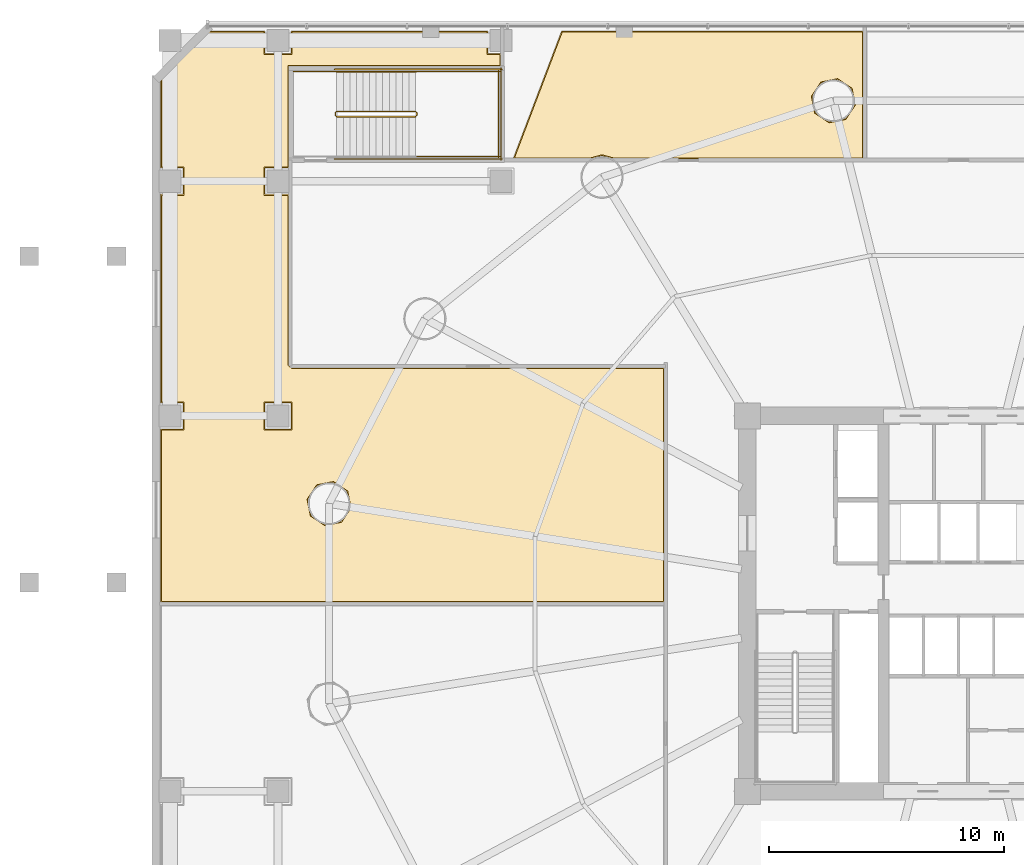
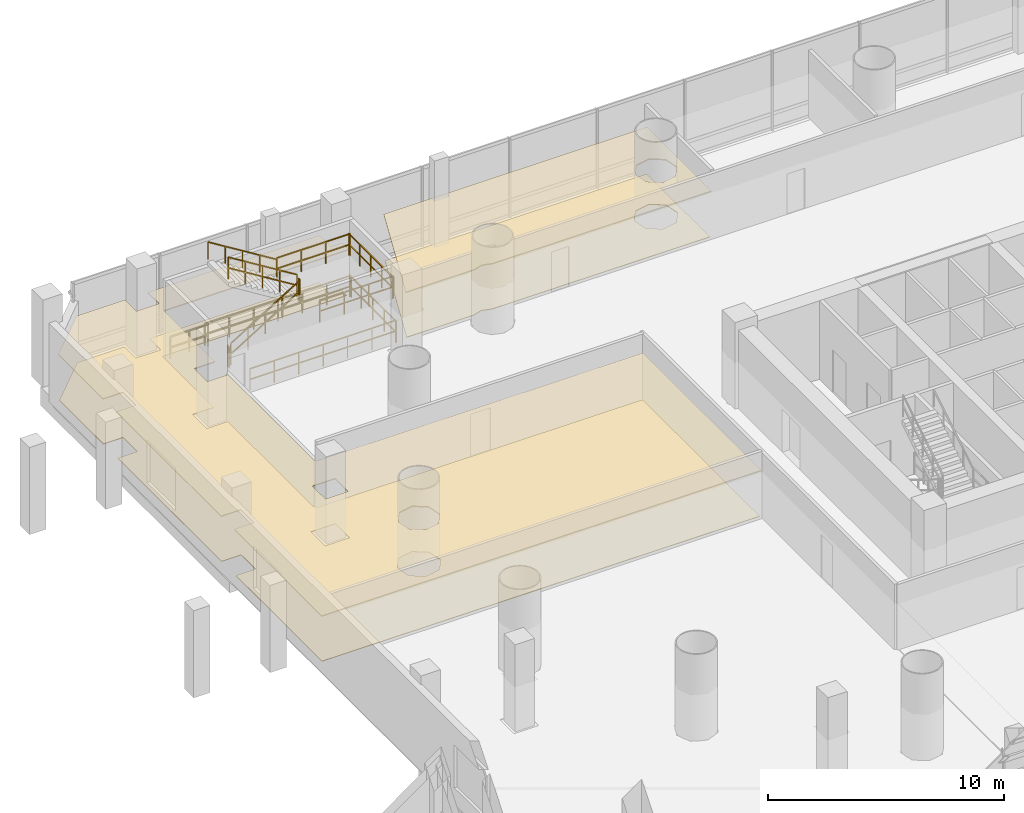
# One storey, part 31 of 36: 12 railings, 4 coverings.
"""IFC4 building model written with IfcOpenShell, lengths in metres."""

from ifc_helpers import new_model, si_unit, direction, frame, origin, origin_2d, place, context, subcontext, project, spatial, polyline, rectangle, outline, extrude, material, layer, layer_set, type_object, element, save


model = new_model("IFC4")

# Units and contexts
model_context = context("Model", 3, precision=1e-05, world=origin(), true_north=direction((-0.2419218956, 0.970295726276)))
body_context = subcontext(model_context, "Body", "Model", "MODEL_VIEW")
ifc_project = project(units=[si_unit("LENGTHUNIT", "METRE"), si_unit("AREAUNIT", "SQUARE_METRE"), si_unit("VOLUMEUNIT", "CUBIC_METRE"), si_unit("PLANEANGLEUNIT", "RADIAN"), si_unit("MASSUNIT", "GRAM", prefix="KILO")], contexts=[model_context])

# Site, building, storey
site_placement = place(None, origin())
site = spatial("IfcSite", under=ifc_project, at=site_placement, CompositionType="ELEMENT")
building_placement = place(site_placement, origin())
building = spatial("IfcBuilding", under=site, at=building_placement, Name="Cobrevalo Terracotta Tower", CompositionType="ELEMENT")
storey_placement = place(building_placement, frame((0.0, 0.0, 14.39990234375)))
storey = spatial("IfcBuildingStorey", under=building, at=storey_placement, Name="L03", CompositionType="ELEMENT", Elevation=14.39990234375)

# Coverings
ifc_material_1 = material(Name="Honed terracotta and granite tile", Category="masonry")
ifc_layer_1 = layer(ifc_material_1, 0.034912109375)
ifc_layer_set_1 = layer_set([ifc_layer_1], Name="Honed terracotta and granite tile")
covering_type_1 = type_object("IfcCoveringType", Name="Honed Terracotta & Granite Interior Flooring 35", PredefinedType="FLOORING", material=ifc_layer_set_1)
covering_1_placement = place(storey_placement, origin())
element("IfcCovering", 1, at=covering_1_placement, inside=storey, type_object=covering_type_1, Name="L03 Indoor Lap Pool Hall floor finish", PredefinedType="FLOORING", context=body_context, shape_type="SweptSolid", body=[
    extrude(outline(polyline([(6.078369140625, 51.159912109375), (8.39990234375, 51.159912109375), (8.39990234375, 50.199951171875), (9.60009765625, 50.199951171875), (9.60009765625, 51.159912109375), (17.89990234375, 51.159912109375), (17.89990234375, 50.199951171875), (18.449951171875, 50.199951171875), (18.449951171875, 49.739990234375), (9.429931640625, 49.739990234375), (9.420166015625, 45.39990234375), (8.39990234375, 45.39990234375), (8.39990234375, 44.199951171875), (9.421142578125, 44.199951171875), (9.427001953125, 36.947509765625), (9.5986328125, 36.820068359375), (25.419921875, 36.820068359375), (25.419921875, 26.89990234375), (4.0400390625, 26.89990234375), (4.0400390625, 34.199951171875), (5.0, 34.199951171875), (5.0, 35.39990234375), (4.0400390625, 35.39990234375), (4.0400390625, 44.199951171875), (5.0, 44.199951171875), (5.0, 45.39990234375), (4.0400390625, 45.39990234375), (4.0400390625, 49.121826171875), (6.078369140625, 51.159912109375)]), holes=[polyline([(11.708984375, 30.264404296875), (12.1171875, 30.87548828125), (11.973876953125, 31.59619140625), (11.36279296875, 32.00439453125), (10.64208984375, 31.861083984375), (10.23388671875, 31.25), (10.377197265625, 30.529296875), (10.98828125, 30.12109375), (11.708984375, 30.264404296875)]), polyline([(8.39990234375, 35.39990234375), (8.39990234375, 34.199951171875), (9.60009765625, 34.199951171875), (9.60009765625, 35.39990234375), (8.39990234375, 35.39990234375)])]), origin(), (0.0, 0.0, 1.0), 0.030029296875),
])
covering_2_placement = place(storey_placement, origin())
element("IfcCovering", 2, at=covering_2_placement, inside=storey, type_object=covering_type_1, Name="L03 Public Restrooms floor finish", PredefinedType="FLOORING", context=body_context, shape_type="SweptSolid", body=[
    extrude(outline(polyline([(33.89990234375, 45.800048828125), (23.274658203125, 45.800048828125), (22.80517578125, 45.927734375), (22.33544921875, 45.800048828125), (19.0791015625, 45.800048828125), (21.11376953125, 51.159912109375), (33.89990234375, 51.159912109375), (33.89990234375, 45.800048828125)]), holes=[polyline([(33.19775390625, 47.431884765625), (33.60595703125, 48.04296875), (33.462646484375, 48.763671875), (32.8515625, 49.171875), (32.130859375, 49.028564453125), (31.72265625, 48.41748046875), (31.865966796875, 47.69677734375), (32.47705078125, 47.28857421875), (33.19775390625, 47.431884765625)])]), origin(), (0.0, 0.0, 1.0), 0.030029296875),
])
ifc_material_2 = material(Name="Moisture-resistant mineral fibre ceiling", Category="gypsum")
ifc_layer_2 = layer(ifc_material_2, 0.0400390625)
ifc_layer_set_2 = layer_set([ifc_layer_2], Name="Moisture-resistant mineral fibre ceiling")
covering_type_2 = type_object("IfcCoveringType", Name="Moisture-Resistant Wet-Room Ceiling 40", PredefinedType="CEILING", material=ifc_layer_set_2)
covering_3_placement = place(storey_placement, frame((0.0, 0.0, 2.360107421875)))
element("IfcCovering", 3, at=covering_3_placement, inside=storey, type_object=covering_type_2, Name="L03 Public Restrooms acoustic ceiling", PredefinedType="CEILING", context=body_context, shape_type="SweptSolid", body=[
    extrude(outline(polyline([(33.945068359375, 45.7548828125), (23.263427734375, 45.7548828125), (22.80517578125, 45.882568359375), (22.346923828125, 45.7548828125), (19.013671875, 45.7548828125), (21.082763671875, 51.205078125), (33.945068359375, 51.205078125), (33.945068359375, 45.7548828125)]), holes=[polyline([(33.172607421875, 47.469482421875), (33.5615234375, 48.0517578125), (33.425048828125, 48.738525390625), (32.8427734375, 49.12744140625), (32.156005859375, 48.990966796875), (31.76708984375, 48.40869140625), (31.903564453125, 47.721923828125), (32.48583984375, 47.332763671875), (33.172607421875, 47.469482421875)])]), origin(), (0.0, 0.0, 1.0), 0.050048828125),
])
ifc_material_3 = material(Name="Acoustic perforated gypsum ceiling", Category="gypsum")
ifc_layer_3 = layer(ifc_material_3, 0.050048828125)
ifc_layer_set_3 = layer_set([ifc_layer_3], Name="Acoustic perforated gypsum ceiling")
covering_type_3 = type_object("IfcCoveringType", Name="Perforated Acoustic Gypsum Ceiling 50", PredefinedType="CEILING", material=ifc_layer_set_3)
covering_4_placement = place(storey_placement, frame((0.0, 0.0, 2.360107421875)))
element("IfcCovering", 4, at=covering_4_placement, inside=storey, type_object=covering_type_3, Name="L03 Indoor Lap Pool Hall acoustic ceiling", PredefinedType="CEILING", context=body_context, shape_type="SweptSolid", body=[
    extrude(outline(polyline([(6.0595703125, 51.205078125), (8.445068359375, 51.205078125), (8.445068359375, 50.2451171875), (9.554931640625, 50.2451171875), (9.554931640625, 51.205078125), (17.945068359375, 51.205078125), (17.945068359375, 50.2451171875), (18.4951171875, 50.2451171875), (18.4951171875, 49.695068359375), (9.47509765625, 49.695068359375), (9.46533203125, 45.35498046875), (8.445068359375, 45.35498046875), (8.445068359375, 44.2451171875), (9.466064453125, 44.2451171875), (9.471923828125, 36.961181640625), (9.601806640625, 36.864990234375), (25.465087890625, 36.864990234375), (25.465087890625, 26.85498046875), (3.9951171875, 26.85498046875), (3.9951171875, 34.2451171875), (4.955078125, 34.2451171875), (4.955078125, 35.35498046875), (3.9951171875, 35.35498046875), (3.9951171875, 44.2451171875), (4.955078125, 44.2451171875), (4.955078125, 45.35498046875), (3.9951171875, 45.35498046875), (3.9951171875, 49.140380859375), (6.0595703125, 51.205078125)]), holes=[polyline([(11.683837890625, 30.302001953125), (12.07275390625, 30.88427734375), (11.936279296875, 31.571044921875), (11.35400390625, 31.9599609375), (10.667236328125, 31.823486328125), (10.2783203125, 31.2412109375), (10.414794921875, 30.554443359375), (10.9970703125, 30.16552734375), (11.683837890625, 30.302001953125)]), polyline([(8.445068359375, 35.35498046875), (8.445068359375, 34.2451171875), (9.554931640625, 34.2451171875), (9.554931640625, 35.35498046875), (8.445068359375, 35.35498046875)])]), origin(), (0.0, 0.0, 1.0), 0.050048828125),
])

# Railings
ifc_material_4 = material(Name="Brushed stainless steel", Category="steel")
railing_type_1 = type_object("IfcRailingType", Name="Stainless Steel Stair Handrail 900", PredefinedType="HANDRAIL", material=ifc_material_4)
railing_1_placement = place(storey_placement, frame((14.860107421875, 49.469970703125, 2.423095703125)))
element("IfcRailing", 5, at=railing_1_placement, inside=storey, type_object=railing_type_1, Name="L03 ST-P1 stair handrail 2", PredefinedType="HANDRAIL", context=body_context, shape_type="SweptSolid", body=[
    extrude(rectangle(XDim=0.048095703125, YDim=0.048095703125, at=origin_2d()), frame((0.0, 0.0, 0.8759765625), z_axis=(-0.850623216509, 0.0, 0.525775754039), x_axis=(0.0, -1.0, 0.0)), (0.0, 0.0, 1.0), 3.9501953125),
    extrude(rectangle(XDim=0.0419921875, YDim=0.0419921875, at=origin_2d()), origin(), (0.0, 0.0, 1.0), 0.851806640625),
    extrude(rectangle(XDim=0.0419921875, YDim=0.0419921875, at=origin_2d()), frame((-0.840087890625, 0.0, 0.519287109375)), (0.0, 0.0, 1.0), 0.851806640625),
    extrude(rectangle(XDim=0.0419921875, YDim=0.0419921875, at=origin_2d()), frame((-1.68017578125, 0.0, 1.03857421875)), (0.0, 0.0, 1.0), 0.851806640625),
    extrude(rectangle(XDim=0.0419921875, YDim=0.0419921875, at=origin_2d()), frame((-2.52001953125, 0.0, 1.5576171875)), (0.0, 0.0, 1.0), 0.851806640625),
    extrude(rectangle(XDim=0.0419921875, YDim=0.0419921875, at=origin_2d()), frame((-3.360107421875, 0.0, 2.076904296875)), (0.0, 0.0, 1.0), 0.851806640625),
])
ifc_material_5 = material(Name="Painted galvanized steel", Category="steel")
railing_type_2 = type_object("IfcRailingType", Name="Stair Well Guard Balustrade 1150", PredefinedType="GUARDRAIL", material=ifc_material_5)
railing_2_placement = place(storey_placement, frame((11.5, 47.550048828125, 0.173095703125)))
element("IfcRailing", 6, at=railing_2_placement, inside=storey, type_object=railing_type_2, Name="L03 ST-P1 stair guard 1", PredefinedType="GUARDRAIL", context=body_context, shape_type="SweptSolid", body=[
    extrude(rectangle(XDim=0.048095703125, YDim=0.048095703125, at=origin_2d()), frame((0.0, 0.0, 1.1259765625), z_axis=(0.850623216509, 0.0, 0.525775754039), x_axis=(0.0, 1.0, 0.0)), (0.0, 0.0, 1.0), 3.9501953125),
    extrude(rectangle(XDim=0.048095703125, YDim=0.048095703125, at=origin_2d()), frame((0.0, 0.0, 0.574951171875), z_axis=(0.850623216509, 0.0, 0.525775754039), x_axis=(0.0, 1.0, 0.0)), (0.0, 0.0, 1.0), 3.9501953125),
    extrude(rectangle(XDim=0.0419921875, YDim=0.0419921875, at=origin_2d()), origin(), (0.0, 0.0, 1.0), 1.101806640625),
    extrude(rectangle(XDim=0.0419921875, YDim=0.0419921875, at=origin_2d()), frame((0.840087890625, 0.0, 0.519287109375)), (0.0, 0.0, 1.0), 1.101806640625),
    extrude(rectangle(XDim=0.0419921875, YDim=0.0419921875, at=origin_2d()), frame((1.68017578125, 0.0, 1.03857421875)), (0.0, 0.0, 1.0), 1.101806640625),
    extrude(rectangle(XDim=0.0419921875, YDim=0.0419921875, at=origin_2d()), frame((2.52001953125, 0.0, 1.5576171875)), (0.0, 0.0, 1.0), 1.101806640625),
    extrude(rectangle(XDim=0.0419921875, YDim=0.0419921875, at=origin_2d()), frame((3.360107421875, 0.0, 2.076904296875)), (0.0, 0.0, 1.0), 1.101806640625),
])
railing_3_placement = place(storey_placement, frame((14.909912109375, 47.60009765625, 2.25)))
element("IfcRailing", 7, at=railing_3_placement, inside=storey, type_object=railing_type_2, Name="L03 ST-P1 stair guard 2", PredefinedType="GUARDRAIL", context=body_context, shape_type="SweptSolid", body=[
    extrude(rectangle(XDim=0.048095703125, YDim=0.048095703125, at=origin_2d()), frame((0.0, 0.0, 1.1259765625), z_axis=(0.0, 1.0, 0.0), x_axis=(-1.0, 0.0, 0.0)), (0.0, 0.0, 1.0), 0.119873046875),
    extrude(rectangle(XDim=0.048095703125, YDim=0.048095703125, at=origin_2d()), frame((0.0, 0.0, 0.574951171875), z_axis=(0.0, 1.0, 0.0), x_axis=(-1.0, 0.0, 0.0)), (0.0, 0.0, 1.0), 0.119873046875),
    extrude(rectangle(XDim=0.0419921875, YDim=0.0419921875, at=origin_2d()), origin(), (0.0, 0.0, 1.0), 1.101806640625),
    extrude(rectangle(XDim=0.0419921875, YDim=0.0419921875, at=origin_2d()), frame((0.0, 0.119873046875, 0.0)), (0.0, 0.0, 1.0), 1.101806640625),
])
for number, where, name in (
    (8, (14.860107421875, 45.85009765625, 2.25), "L03 ST-P1 stair guard 3"),
    (9, (14.860107421875, 49.469970703125, 2.25), "L03 ST-P1 stair guard 4"),
):
    element("IfcRailing", number, at=place(storey_placement, frame(where)), inside=storey, type_object=railing_type_2, Name=name, PredefinedType="GUARDRAIL", context=body_context, shape_type="SweptSolid", body=[
        extrude(rectangle(XDim=0.048095703125, YDim=0.048095703125, at=origin_2d()), frame((0.0, 0.0, 1.1259765625), z_axis=(1.0, 0.0, 0.0), x_axis=(0.0, 1.0, 0.0)), (0.0, 0.0, 1.0), 3.58984375),
        extrude(rectangle(XDim=0.048095703125, YDim=0.048095703125, at=origin_2d()), frame((0.0, 0.0, 0.574951171875), z_axis=(1.0, 0.0, 0.0), x_axis=(0.0, 1.0, 0.0)), (0.0, 0.0, 1.0), 3.58984375),
        extrude(rectangle(XDim=0.0419921875, YDim=0.0419921875, at=origin_2d()), origin(), (0.0, 0.0, 1.0), 1.101806640625),
        extrude(rectangle(XDim=0.0419921875, YDim=0.0419921875, at=origin_2d()), frame((1.196533203125, 0.0, 0.0)), (0.0, 0.0, 1.0), 1.101806640625),
        extrude(rectangle(XDim=0.0419921875, YDim=0.0419921875, at=origin_2d()), frame((2.393310546875, 0.0, 0.0)), (0.0, 0.0, 1.0), 1.101806640625),
        extrude(rectangle(XDim=0.0419921875, YDim=0.0419921875, at=origin_2d()), frame((3.58984375, 0.0, 0.0)), (0.0, 0.0, 1.0), 1.101806640625),
    ])
railing_4_placement = place(storey_placement, frame((18.39990234375, 45.800048828125, 2.25)))
element("IfcRailing", 10, at=railing_4_placement, inside=storey, type_object=railing_type_2, Name="L03 ST-P1 stair guard 5", PredefinedType="GUARDRAIL", context=body_context, shape_type="SweptSolid", body=[
    extrude(rectangle(XDim=0.048095703125, YDim=0.048095703125, at=origin_2d()), frame((0.0, 0.0, 1.1259765625), z_axis=(0.0, 1.0, 0.0), x_axis=(-1.0, 0.0, 0.0)), (0.0, 0.0, 1.0), 3.719970703125),
    extrude(rectangle(XDim=0.048095703125, YDim=0.048095703125, at=origin_2d()), frame((0.0, 0.0, 0.574951171875), z_axis=(0.0, 1.0, 0.0), x_axis=(-1.0, 0.0, 0.0)), (0.0, 0.0, 1.0), 3.719970703125),
    extrude(rectangle(XDim=0.0419921875, YDim=0.0419921875, at=origin_2d()), origin(), (0.0, 0.0, 1.0), 1.101806640625),
    extrude(rectangle(XDim=0.0419921875, YDim=0.0419921875, at=origin_2d()), frame((0.0, 0.929931640625, 0.0)), (0.0, 0.0, 1.0), 1.101806640625),
    extrude(rectangle(XDim=0.0419921875, YDim=0.0419921875, at=origin_2d()), frame((0.0, 1.85986328125, 0.0)), (0.0, 0.0, 1.0), 1.101806640625),
    extrude(rectangle(XDim=0.0419921875, YDim=0.0419921875, at=origin_2d()), frame((0.0, 2.7900390625, 0.0)), (0.0, 0.0, 1.0), 1.101806640625),
    extrude(rectangle(XDim=0.0419921875, YDim=0.0419921875, at=origin_2d()), frame((0.0, 3.719970703125, 0.0)), (0.0, 0.0, 1.0), 1.101806640625),
])
railing_5_placement = place(storey_placement, frame((14.860107421875, 47.77001953125, 2.423095703125)))
element("IfcRailing", 11, at=railing_5_placement, inside=storey, type_object=railing_type_2, Name="L03 ST-P1 stair guard 6", PredefinedType="GUARDRAIL", context=body_context, shape_type="SweptSolid", body=[
    extrude(rectangle(XDim=0.048095703125, YDim=0.048095703125, at=origin_2d()), frame((0.0, 0.0, 1.1259765625), z_axis=(-0.850623216509, 0.0, 0.525775754039), x_axis=(0.0, -1.0, 0.0)), (0.0, 0.0, 1.0), 3.9501953125),
    extrude(rectangle(XDim=0.048095703125, YDim=0.048095703125, at=origin_2d()), frame((0.0, 0.0, 0.574951171875), z_axis=(-0.850623216509, 0.0, 0.525775754039), x_axis=(0.0, -1.0, 0.0)), (0.0, 0.0, 1.0), 3.9501953125),
    extrude(rectangle(XDim=0.0419921875, YDim=0.0419921875, at=origin_2d()), origin(), (0.0, 0.0, 1.0), 1.101806640625),
    extrude(rectangle(XDim=0.0419921875, YDim=0.0419921875, at=origin_2d()), frame((-0.840087890625, 0.0, 0.519287109375)), (0.0, 0.0, 1.0), 1.101806640625),
    extrude(rectangle(XDim=0.0419921875, YDim=0.0419921875, at=origin_2d()), frame((-1.68017578125, 0.0, 1.03857421875)), (0.0, 0.0, 1.0), 1.101806640625),
    extrude(rectangle(XDim=0.0419921875, YDim=0.0419921875, at=origin_2d()), frame((-2.52001953125, 0.0, 1.5576171875)), (0.0, 0.0, 1.0), 1.101806640625),
    extrude(rectangle(XDim=0.0419921875, YDim=0.0419921875, at=origin_2d()), frame((-3.360107421875, 0.0, 2.076904296875)), (0.0, 0.0, 1.0), 1.101806640625),
])
railing_6_placement = place(storey_placement, frame((11.449951171875, 47.60009765625, 0.0)))
element("IfcRailing", 12, at=railing_6_placement, inside=storey, type_object=railing_type_2, Name="L03 ST-P1 stair guard 7", PredefinedType="GUARDRAIL", context=body_context, shape_type="SweptSolid", body=[
    extrude(rectangle(XDim=0.048095703125, YDim=0.048095703125, at=origin_2d()), frame((0.0, 0.0, 1.1259765625), z_axis=(0.0, 1.0, 0.0), x_axis=(-1.0, 0.0, 0.0)), (0.0, 0.0, 1.0), 0.119873046875),
    extrude(rectangle(XDim=0.048095703125, YDim=0.048095703125, at=origin_2d()), frame((0.0, 0.0, 0.574951171875), z_axis=(0.0, 1.0, 0.0), x_axis=(-1.0, 0.0, 0.0)), (0.0, 0.0, 1.0), 0.119873046875),
    extrude(rectangle(XDim=0.0419921875, YDim=0.0419921875, at=origin_2d()), origin(), (0.0, 0.0, 1.0), 1.101806640625),
    extrude(rectangle(XDim=0.0419921875, YDim=0.0419921875, at=origin_2d()), frame((0.0, 0.119873046875, 0.0)), (0.0, 0.0, 1.0), 1.101806640625),
])
railing_7_placement = place(storey_placement, frame((9.64990234375, 49.469970703125, 0.0)))
element("IfcRailing", 13, at=railing_7_placement, inside=storey, type_object=railing_type_2, Name="L03 ST-P1 stair guard 9", PredefinedType="GUARDRAIL", context=body_context, shape_type="SweptSolid", body=[
    extrude(rectangle(XDim=0.048095703125, YDim=0.048095703125, at=origin_2d()), frame((0.0, 0.0, 1.1259765625), z_axis=(1.0, 0.0, 0.0), x_axis=(0.0, 1.0, 0.0)), (0.0, 0.0, 1.0), 1.85009765625),
    extrude(rectangle(XDim=0.048095703125, YDim=0.048095703125, at=origin_2d()), frame((0.0, 0.0, 0.574951171875), z_axis=(1.0, 0.0, 0.0), x_axis=(0.0, 1.0, 0.0)), (0.0, 0.0, 1.0), 1.85009765625),
    extrude(rectangle(XDim=0.0419921875, YDim=0.0419921875, at=origin_2d()), origin(), (0.0, 0.0, 1.0), 1.101806640625),
    extrude(rectangle(XDim=0.0419921875, YDim=0.0419921875, at=origin_2d()), frame((0.925048828125, 0.0, 0.0)), (0.0, 0.0, 1.0), 1.101806640625),
    extrude(rectangle(XDim=0.0419921875, YDim=0.0419921875, at=origin_2d()), frame((1.85009765625, 0.0, 0.0)), (0.0, 0.0, 1.0), 1.101806640625),
])
for number, where, name in (
    (14, (11.39990234375, 45.75, 0.0), "L03 ST-P1 stair guard 10"),
    (15, (11.39990234375, 49.570068359375, 0.0), "L03 ST-P1 stair guard 11"),
):
    element("IfcRailing", number, at=place(storey_placement, frame(where)), inside=storey, type_object=railing_type_2, Name=name, PredefinedType="GUARDRAIL", context=body_context, shape_type="SweptSolid", body=[
        extrude(rectangle(XDim=0.048095703125, YDim=0.048095703125, at=origin_2d()), frame((0.0, 0.0, 1.1259765625), z_axis=(1.0, 0.0, 0.0), x_axis=(0.0, 1.0, 0.0)), (0.0, 0.0, 1.0), 7.150146484375),
        extrude(rectangle(XDim=0.048095703125, YDim=0.048095703125, at=origin_2d()), frame((0.0, 0.0, 0.574951171875), z_axis=(1.0, 0.0, 0.0), x_axis=(0.0, 1.0, 0.0)), (0.0, 0.0, 1.0), 7.150146484375),
        extrude(rectangle(XDim=0.0419921875, YDim=0.0419921875, at=origin_2d()), origin(), (0.0, 0.0, 1.0), 1.101806640625),
        extrude(rectangle(XDim=0.0419921875, YDim=0.0419921875, at=origin_2d()), frame((1.191650390625, 0.0, 0.0)), (0.0, 0.0, 1.0), 1.101806640625),
        extrude(rectangle(XDim=0.0419921875, YDim=0.0419921875, at=origin_2d()), frame((2.38330078125, 0.0, 0.0)), (0.0, 0.0, 1.0), 1.101806640625),
        extrude(rectangle(XDim=0.0419921875, YDim=0.0419921875, at=origin_2d()), frame((3.5751953125, 0.0, 0.0)), (0.0, 0.0, 1.0), 1.101806640625),
        extrude(rectangle(XDim=0.0419921875, YDim=0.0419921875, at=origin_2d()), frame((4.766845703125, 0.0, 0.0)), (0.0, 0.0, 1.0), 1.101806640625),
        extrude(rectangle(XDim=0.0419921875, YDim=0.0419921875, at=origin_2d()), frame((5.95849609375, 0.0, 0.0)), (0.0, 0.0, 1.0), 1.101806640625),
        extrude(rectangle(XDim=0.0419921875, YDim=0.0419921875, at=origin_2d()), frame((7.150146484375, 0.0, 0.0)), (0.0, 0.0, 1.0), 1.101806640625),
    ])
railing_8_placement = place(storey_placement, frame((18.5, 45.699951171875, 0.0)))
element("IfcRailing", 16, at=railing_8_placement, inside=storey, type_object=railing_type_2, Name="L03 ST-P1 stair guard 12", PredefinedType="GUARDRAIL", context=body_context, shape_type="SweptSolid", body=[
    extrude(rectangle(XDim=0.048095703125, YDim=0.048095703125, at=origin_2d()), frame((0.0, 0.0, 1.1259765625), z_axis=(0.0, 1.0, 0.0), x_axis=(-1.0, 0.0, 0.0)), (0.0, 0.0, 1.0), 3.920166015625),
    extrude(rectangle(XDim=0.048095703125, YDim=0.048095703125, at=origin_2d()), frame((0.0, 0.0, 0.574951171875), z_axis=(0.0, 1.0, 0.0), x_axis=(-1.0, 0.0, 0.0)), (0.0, 0.0, 1.0), 3.920166015625),
    extrude(rectangle(XDim=0.0419921875, YDim=0.0419921875, at=origin_2d()), origin(), (0.0, 0.0, 1.0), 1.101806640625),
    extrude(rectangle(XDim=0.0419921875, YDim=0.0419921875, at=origin_2d()), frame((0.0, 0.97998046875, 0.0)), (0.0, 0.0, 1.0), 1.101806640625),
    extrude(rectangle(XDim=0.0419921875, YDim=0.0419921875, at=origin_2d()), frame((0.0, 1.9599609375, 0.0)), (0.0, 0.0, 1.0), 1.101806640625),
    extrude(rectangle(XDim=0.0419921875, YDim=0.0419921875, at=origin_2d()), frame((0.0, 2.940185546875, 0.0)), (0.0, 0.0, 1.0), 1.101806640625),
    extrude(rectangle(XDim=0.0419921875, YDim=0.0419921875, at=origin_2d()), frame((0.0, 3.920166015625, 0.0)), (0.0, 0.0, 1.0), 1.101806640625),
])

save(model, "model.ifc")
